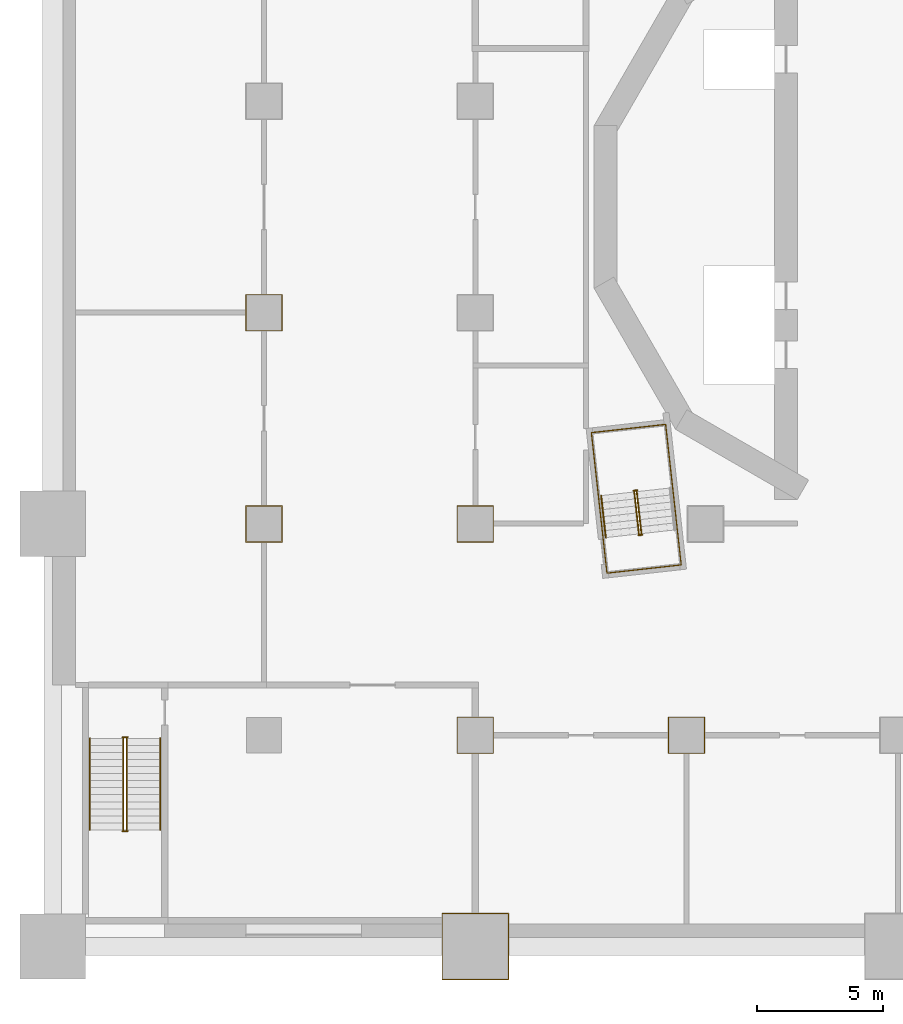
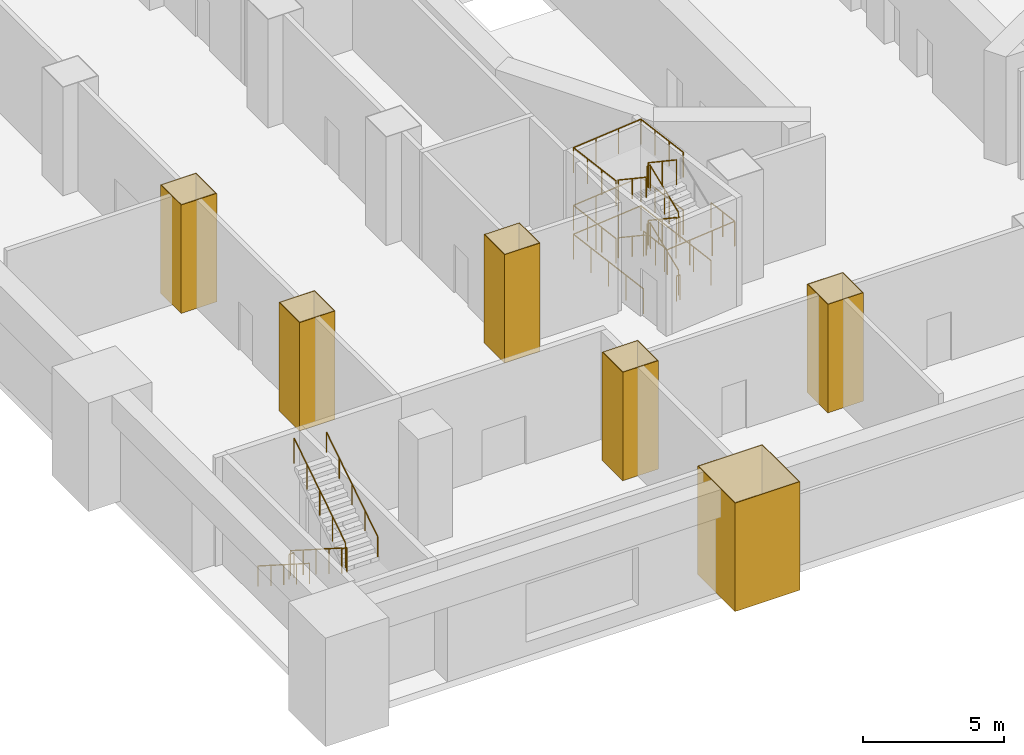
# One storey, part 9 of 17: 17 railings, 6 coverings.
"""IFC4 building model written with IfcOpenShell, lengths in metres."""

from ifc_helpers import new_model, si_unit, direction, frame, origin, origin_2d, place, context, subcontext, project, spatial, polyline, circle, outline, extrude, material, layer, layer_set, type_object, element, save


model = new_model("IFC4")

# Units and contexts
model_context = context("Model", 3, precision=1e-05, world=origin(), true_north=direction((0.0, 1.0)))
body_context = subcontext(model_context, "Body", "Model", "MODEL_VIEW")
ifc_project = project(units=[si_unit("LENGTHUNIT", "METRE"), si_unit("AREAUNIT", "SQUARE_METRE"), si_unit("VOLUMEUNIT", "CUBIC_METRE"), si_unit("PLANEANGLEUNIT", "RADIAN"), si_unit("MASSUNIT", "GRAM", prefix="KILO")], contexts=[model_context])

# Site, building, storey
site_placement = place(None, origin())
site = spatial("IfcSite", under=ifc_project, at=site_placement, CompositionType="ELEMENT")
building_placement = place(site_placement, origin())
building = spatial("IfcBuilding", under=site, at=building_placement, Name="Cantera Rosa Tower", CompositionType="ELEMENT")
storey_placement = place(building_placement, frame((0.0, 0.0, 22.0)))
storey = spatial("IfcBuildingStorey", under=building, at=storey_placement, Name="L03", CompositionType="ELEMENT", Elevation=22.0)

# Coverings
ifc_material_1 = material(Name="Plaster")
ifc_layer = layer(ifc_material_1, 0.030029296875)
ifc_layer_set = layer_set([ifc_layer], Name="Column casing 30")
covering_type = type_object("IfcCoveringType", Name="Column casing 30", PredefinedType="CLADDING", material=ifc_layer_set)
covering_1_placement = place(storey_placement, origin())
element("IfcCovering", 1, at=covering_1_placement, inside=storey, type_object=covering_type, Name="Column casing L03-001", PredefinedType="CLADDING", context=body_context, shape_type="SweptSolid", body=[
    extrude(outline(polyline([(-25.929931640625, -13.330078125), (-24.469970703125, -13.330078125), (-24.469970703125, -11.8701171875), (-25.929931640625, -11.8701171875), (-25.929931640625, -13.330078125)]), holes=[polyline([(-24.5, -11.89990234375), (-25.89990234375, -11.89990234375), (-25.89990234375, -13.300048828125), (-24.5, -13.300048828125), (-24.5, -11.89990234375)])]), origin(), (0.0, 0.0, 1.0), 4.699951171875),
])
covering_2_placement = place(storey_placement, origin())
element("IfcCovering", 2, at=covering_2_placement, inside=storey, type_object=covering_type, Name="Column casing L03-002", PredefinedType="CLADDING", context=body_context, shape_type="SweptSolid", body=[
    extrude(outline(polyline([(-25.929931640625, -4.929931640625), (-24.469970703125, -4.929931640625), (-24.469970703125, -3.469970703125), (-25.929931640625, -3.469970703125), (-25.929931640625, -4.929931640625)]), holes=[polyline([(-24.5, -3.5), (-25.89990234375, -3.5), (-25.89990234375, -4.89990234375), (-24.5, -4.89990234375), (-24.5, -3.5)])]), origin(), (0.0, 0.0, 1.0), 4.699951171875),
])
covering_3_placement = place(storey_placement, origin())
element("IfcCovering", 3, at=covering_3_placement, inside=storey, type_object=covering_type, Name="Column casing L03-005", PredefinedType="CLADDING", context=body_context, shape_type="SweptSolid", body=[
    extrude(outline(polyline([(-18.1298828125, -30.72998046875), (-15.469970703125, -30.72998046875), (-15.469970703125, -28.070068359375), (-18.1298828125, -28.070068359375), (-18.1298828125, -30.72998046875)]), holes=[polyline([(-15.5, -28.10009765625), (-18.10009765625, -28.10009765625), (-18.10009765625, -30.699951171875), (-15.5, -30.699951171875), (-15.5, -28.10009765625)])]), origin(), (0.0, 0.0, 1.0), 4.699951171875),
])
covering_4_placement = place(storey_placement, origin())
element("IfcCovering", 4, at=covering_4_placement, inside=storey, type_object=covering_type, Name="Column casing L03-006", PredefinedType="CLADDING", context=body_context, shape_type="SweptSolid", body=[
    extrude(outline(polyline([(-17.530029296875, -21.72998046875), (-16.070068359375, -21.72998046875), (-16.070068359375, -20.27001953125), (-17.530029296875, -20.27001953125), (-17.530029296875, -21.72998046875)]), holes=[polyline([(-16.10009765625, -20.300048828125), (-17.5, -20.300048828125), (-17.5, -21.699951171875), (-16.10009765625, -21.699951171875), (-16.10009765625, -20.300048828125)])]), origin(), (0.0, 0.0, 1.0), 4.699951171875),
])
covering_5_placement = place(storey_placement, origin())
element("IfcCovering", 5, at=covering_5_placement, inside=storey, type_object=covering_type, Name="Column casing L03-007", PredefinedType="CLADDING", context=body_context, shape_type="SweptSolid", body=[
    extrude(outline(polyline([(-17.530029296875, -13.330078125), (-16.070068359375, -13.330078125), (-16.070068359375, -11.8701171875), (-17.530029296875, -11.8701171875), (-17.530029296875, -13.330078125)]), holes=[polyline([(-16.10009765625, -11.89990234375), (-17.5, -11.89990234375), (-17.5, -13.300048828125), (-16.10009765625, -13.300048828125), (-16.10009765625, -11.89990234375)])]), origin(), (0.0, 0.0, 1.0), 4.699951171875),
])
covering_6_placement = place(storey_placement, origin())
element("IfcCovering", 6, at=covering_6_placement, inside=storey, type_object=covering_type, Name="Column casing L03-013", PredefinedType="CLADDING", context=body_context, shape_type="SweptSolid", body=[
    extrude(outline(polyline([(-9.1298828125, -21.72998046875), (-7.669921875, -21.72998046875), (-7.669921875, -20.27001953125), (-9.1298828125, -20.27001953125), (-9.1298828125, -21.72998046875)]), holes=[polyline([(-7.699951171875, -20.300048828125), (-9.10009765625, -20.300048828125), (-9.10009765625, -21.699951171875), (-7.699951171875, -21.699951171875), (-7.699951171875, -20.300048828125)])]), origin(), (0.0, 0.0, 1.0), 4.699951171875),
])

# Railings
ifc_material_2 = material(Name="Steel S355J2 (EN 10025-2)", Category="steel")
railing_type_1 = type_object("IfcRailingType", Name="STAIR GUARD 1100", PredefinedType="GUARDRAIL", material=ifc_material_2)
railing_1_placement = place(storey_placement, frame((-10.19677734375, -12.986083984375, 0.178466796875)))
element("IfcRailing", 7, at=railing_1_placement, inside=storey, type_object=railing_type_1, Name="L03 ST-13 stair guard 1", PredefinedType="GUARDRAIL", context=body_context, shape_type="SweptSolid", body=[
    extrude(circle(Radius=0.02392578125, at=origin_2d()), frame((0.0, 0.0, 1.076171875), z_axis=(-0.092996744609, 0.837950904326, 0.537763784046), x_axis=(-0.993897904819, -0.110303920128, 0.0)), (0.0, 0.0, 1.0), 1.99267578125),
    extrude(circle(Radius=0.02392578125, at=origin_2d()), frame((-0.185302734375, 1.669677734375, 2.1474609375), z_axis=(0.358689472963, 0.933456941688, 0.0), x_axis=(-0.933456941688, 0.358689472963, 0.0)), (0.0, 0.0, 1.0), 0.056396484375),
    extrude(circle(Radius=0.02392578125, at=origin_2d()), frame((-0.1650390625, 1.722412109375, 2.1474609375), z_axis=(-0.993863881828, -0.110610055588, 0.0), x_axis=(0.110610055588, -0.993863881828, 0.0)), (0.0, 0.0, 1.0), 0.150146484375),
    extrude(circle(Radius=0.02099609375, at=origin_2d()), origin(), (0.0, 0.0, 1.0), 1.052001953125),
    extrude(circle(Radius=0.02099609375, at=origin_2d()), frame((-0.0927734375, 0.8349609375, 0.53564453125)), (0.0, 0.0, 1.0), 1.052001953125),
    extrude(circle(Radius=0.02099609375, at=origin_2d()), frame((-0.185302734375, 1.669677734375, 1.071533203125)), (0.0, 0.0, 1.0), 1.052001953125),
    extrude(circle(Radius=0.02099609375, at=origin_2d()), frame((-0.1650390625, 1.722412109375, 1.071533203125)), (0.0, 0.0, 1.0), 1.052001953125),
    extrude(circle(Radius=0.02099609375, at=origin_2d()), frame((-0.314208984375, 1.705810546875, 1.071533203125)), (0.0, 0.0, 1.0), 1.052001953125),
])
railing_2_placement = place(storey_placement, frame((-10.4794921875, -11.3271484375, 1.428466796875)))
element("IfcRailing", 8, at=railing_2_placement, inside=storey, type_object=railing_type_1, Name="L03 ST-13 stair guard 2", PredefinedType="GUARDRAIL", context=body_context, shape_type="SweptSolid", body=[
    extrude(circle(Radius=0.02392578125, at=origin_2d()), frame((0.0, 0.0, 1.076171875), z_axis=(0.092996744609, -0.837950904326, 0.537763784046), x_axis=(0.993897904819, 0.110303920128, 0.0)), (0.0, 0.0, 1.0), 1.99267578125),
    extrude(circle(Radius=0.02392578125, at=origin_2d()), frame((0.185302734375, -1.669677734375, 2.1474609375), z_axis=(-0.363909256389, -0.931434406233, 0.0), x_axis=(0.931434406233, -0.363909256389, 0.0)), (0.0, 0.0, 1.0), 0.056396484375),
    extrude(circle(Radius=0.02392578125, at=origin_2d()), frame((0.164794921875, -1.72216796875, 2.1474609375), z_axis=(0.994041430915, 0.1090029065, 0.0), x_axis=(-0.1090029065, 0.994041430915, 0.0)), (0.0, 0.0, 1.0), 0.150146484375),
    extrude(circle(Radius=0.02099609375, at=origin_2d()), origin(), (0.0, 0.0, 1.0), 1.052001953125),
    extrude(circle(Radius=0.02099609375, at=origin_2d()), frame((0.0927734375, -0.8349609375, 0.53564453125)), (0.0, 0.0, 1.0), 1.052001953125),
    extrude(circle(Radius=0.02099609375, at=origin_2d()), frame((0.185302734375, -1.669677734375, 1.071533203125)), (0.0, 0.0, 1.0), 1.052001953125),
    extrude(circle(Radius=0.02099609375, at=origin_2d()), frame((0.164794921875, -1.72216796875, 1.071533203125)), (0.0, 0.0, 1.0), 1.052001953125),
    extrude(circle(Radius=0.02099609375, at=origin_2d()), frame((0.31396484375, -1.705810546875, 1.071533203125)), (0.0, 0.0, 1.0), 1.052001953125),
])
railing_3_placement = place(storey_placement, frame((-10.19677734375, -12.986083984375, 2.678466796875)))
element("IfcRailing", 9, at=railing_3_placement, inside=storey, type_object=railing_type_1, Name="L03 ST-13 stair guard 3", PredefinedType="GUARDRAIL", context=body_context, shape_type="SweptSolid", body=[
    extrude(circle(Radius=0.02392578125, at=origin_2d()), frame((0.0, 0.0, 1.076171875), z_axis=(-0.092996744609, 0.837950904326, 0.537763784046), x_axis=(-0.993897904819, -0.110303920128, 0.0)), (0.0, 0.0, 1.0), 1.99267578125),
    extrude(circle(Radius=0.02392578125, at=origin_2d()), frame((-0.185302734375, 1.669677734375, 2.1474609375), z_axis=(0.358689472963, 0.933456941688, 0.0), x_axis=(-0.933456941688, 0.358689472963, 0.0)), (0.0, 0.0, 1.0), 0.056396484375),
    extrude(circle(Radius=0.02392578125, at=origin_2d()), frame((-0.1650390625, 1.722412109375, 2.1474609375), z_axis=(-0.993863881828, -0.110610055588, 0.0), x_axis=(0.110610055588, -0.993863881828, 0.0)), (0.0, 0.0, 1.0), 0.150146484375),
    extrude(circle(Radius=0.02099609375, at=origin_2d()), origin(), (0.0, 0.0, 1.0), 1.052001953125),
    extrude(circle(Radius=0.02099609375, at=origin_2d()), frame((-0.0927734375, 0.8349609375, 0.53564453125)), (0.0, 0.0, 1.0), 1.052001953125),
    extrude(circle(Radius=0.02099609375, at=origin_2d()), frame((-0.185302734375, 1.669677734375, 1.071533203125)), (0.0, 0.0, 1.0), 1.052001953125),
    extrude(circle(Radius=0.02099609375, at=origin_2d()), frame((-0.1650390625, 1.722412109375, 1.071533203125)), (0.0, 0.0, 1.0), 1.052001953125),
    extrude(circle(Radius=0.02099609375, at=origin_2d()), frame((-0.314208984375, 1.705810546875, 1.071533203125)), (0.0, 0.0, 1.0), 1.052001953125),
])
railing_4_placement = place(storey_placement, frame((-10.4794921875, -11.3271484375, 3.928466796875)))
element("IfcRailing", 10, at=railing_4_placement, inside=storey, type_object=railing_type_1, Name="L03 ST-13 stair guard 4", PredefinedType="GUARDRAIL", context=body_context, shape_type="SweptSolid", body=[
    extrude(circle(Radius=0.02392578125, at=origin_2d()), frame((0.0, 0.0, 1.076171875), z_axis=(0.092996744609, -0.837950904326, 0.537763784046), x_axis=(0.993897904819, 0.110303920128, 0.0)), (0.0, 0.0, 1.0), 1.99267578125),
    extrude(circle(Radius=0.02099609375, at=origin_2d()), origin(), (0.0, 0.0, 1.0), 1.052001953125),
    extrude(circle(Radius=0.02099609375, at=origin_2d()), frame((0.0927734375, -0.8349609375, 0.53564453125)), (0.0, 0.0, 1.0), 1.052001953125),
    extrude(circle(Radius=0.02099609375, at=origin_2d()), frame((0.185302734375, -1.669677734375, 1.071533203125)), (0.0, 0.0, 1.0), 1.052001953125),
])
railing_5_placement = place(storey_placement, frame((-10.16552734375, -13.032958984375, 0.0)))
element("IfcRailing", 11, at=railing_5_placement, inside=storey, type_object=railing_type_1, Name="L03 ST-13 stair guard 5", PredefinedType="GUARDRAIL", context=body_context, shape_type="SweptSolid", body=[
    extrude(circle(Radius=0.02392578125, at=origin_2d()), frame((0.0, 0.0, 1.076171875), z_axis=(-0.994041430915, -0.1090029065, 0.0), x_axis=(0.1090029065, -0.994041430915, 0.0)), (0.0, 0.0, 1.0), 0.150146484375),
    extrude(circle(Radius=0.02099609375, at=origin_2d()), origin(), (0.0, 0.0, 1.0), 1.052001953125),
    extrude(circle(Radius=0.02099609375, at=origin_2d()), frame((-0.149169921875, -0.016357421875, 0.0)), (0.0, 0.0, 1.0), 1.052001953125),
])
railing_6_placement = place(storey_placement, frame((-8.77099609375, -12.815673828125, 0.0)))
element("IfcRailing", 12, at=railing_6_placement, inside=storey, type_object=railing_type_1, Name="L03 ST-13 stair guard 6", PredefinedType="GUARDRAIL", context=body_context, shape_type="SweptSolid", body=[
    extrude(circle(Radius=0.02392578125, at=origin_2d()), frame((0.0, 0.0, 1.076171875), z_axis=(-0.110323013767, 0.9938957856, 0.0), x_axis=(-0.9938957856, -0.110323013767, 0.0)), (0.0, 0.0, 1.0), 4.197998046875),
    extrude(circle(Radius=0.02392578125, at=origin_2d()), frame((-0.463134765625, 4.17236328125, 1.076171875), z_axis=(-0.993896759678, -0.110314237986, 0.0), x_axis=(0.110314237986, -0.993896759678, 0.0)), (0.0, 0.0, 1.0), 2.969970703125),
    extrude(circle(Radius=0.02392578125, at=origin_2d()), frame((-3.4150390625, 3.8447265625, 1.076171875), z_axis=(0.110323013767, -0.9938957856, 0.0), x_axis=(0.9938957856, 0.110323013767, 0.0)), (0.0, 0.0, 1.0), 4.197998046875),
    extrude(circle(Radius=0.02099609375, at=origin_2d()), origin(), (0.0, 0.0, 1.0), 1.052001953125),
    extrude(circle(Radius=0.02099609375, at=origin_2d()), frame((-0.11572265625, 1.04296875, 0.0)), (0.0, 0.0, 1.0), 1.052001953125),
    extrude(circle(Radius=0.02099609375, at=origin_2d()), frame((-0.2314453125, 2.086181640625, 0.0)), (0.0, 0.0, 1.0), 1.052001953125),
    extrude(circle(Radius=0.02099609375, at=origin_2d()), frame((-0.347412109375, 3.12939453125, 0.0)), (0.0, 0.0, 1.0), 1.052001953125),
    extrude(circle(Radius=0.02099609375, at=origin_2d()), frame((-0.463134765625, 4.17236328125, 0.0)), (0.0, 0.0, 1.0), 1.052001953125),
    extrude(circle(Radius=0.02099609375, at=origin_2d()), frame((-1.447021484375, 4.063232421875, 0.0)), (0.0, 0.0, 1.0), 1.052001953125),
    extrude(circle(Radius=0.02099609375, at=origin_2d()), frame((-2.43115234375, 3.953857421875, 0.0)), (0.0, 0.0, 1.0), 1.052001953125),
    extrude(circle(Radius=0.02099609375, at=origin_2d()), frame((-3.4150390625, 3.8447265625, 0.0)), (0.0, 0.0, 1.0), 1.052001953125),
    extrude(circle(Radius=0.02099609375, at=origin_2d()), frame((-3.29931640625, 2.8017578125, 0.0)), (0.0, 0.0, 1.0), 1.052001953125),
    extrude(circle(Radius=0.02099609375, at=origin_2d()), frame((-3.18359375, 1.758544921875, 0.0)), (0.0, 0.0, 1.0), 1.052001953125),
    extrude(circle(Radius=0.02099609375, at=origin_2d()), frame((-3.067626953125, 0.71533203125, 0.0)), (0.0, 0.0, 1.0), 1.052001953125),
    extrude(circle(Radius=0.02099609375, at=origin_2d()), frame((-2.951904296875, -0.32763671875, 0.0)), (0.0, 0.0, 1.0), 1.052001953125),
])
railing_7_placement = place(storey_placement, frame((-8.95361328125, -11.169921875, 1.25)))
element("IfcRailing", 13, at=railing_7_placement, inside=storey, type_object=railing_type_1, Name="L03 ST-13 stair guard 7", PredefinedType="GUARDRAIL", context=body_context, shape_type="SweptSolid", body=[
    extrude(circle(Radius=0.02392578125, at=origin_2d()), frame((0.0, 0.0, 1.076171875), z_axis=(-0.110347199982, 0.993893100618, 0.0), x_axis=(-0.993893100618, -0.110347199982, 0.0)), (0.0, 0.0, 1.0), 2.542236328125),
    extrude(circle(Radius=0.02392578125, at=origin_2d()), frame((-0.280517578125, 2.526611328125, 1.076171875), z_axis=(-0.993896759678, -0.110314237986, 0.0), x_axis=(0.110314237986, -0.993896759678, 0.0)), (0.0, 0.0, 1.0), 2.969970703125),
    extrude(circle(Radius=0.02392578125, at=origin_2d()), frame((-3.232421875, 2.198974609375, 1.076171875), z_axis=(0.110347199982, -0.993893100618, 0.0), x_axis=(0.993893100618, 0.110347199982, 0.0)), (0.0, 0.0, 1.0), 2.542236328125),
    extrude(circle(Radius=0.02099609375, at=origin_2d()), origin(), (0.0, 0.0, 1.0), 1.052001953125),
    extrude(circle(Radius=0.02099609375, at=origin_2d()), frame((-0.093505859375, 0.84228515625, 0.0)), (0.0, 0.0, 1.0), 1.052001953125),
    extrude(circle(Radius=0.02099609375, at=origin_2d()), frame((-0.18701171875, 1.684326171875, 0.0)), (0.0, 0.0, 1.0), 1.052001953125),
    extrude(circle(Radius=0.02099609375, at=origin_2d()), frame((-0.280517578125, 2.526611328125, 0.0)), (0.0, 0.0, 1.0), 1.052001953125),
    extrude(circle(Radius=0.02099609375, at=origin_2d()), frame((-1.264404296875, 2.41748046875, 0.0)), (0.0, 0.0, 1.0), 1.052001953125),
    extrude(circle(Radius=0.02099609375, at=origin_2d()), frame((-2.24853515625, 2.30810546875, 0.0)), (0.0, 0.0, 1.0), 1.052001953125),
    extrude(circle(Radius=0.02099609375, at=origin_2d()), frame((-3.232421875, 2.198974609375, 0.0)), (0.0, 0.0, 1.0), 1.052001953125),
    extrude(circle(Radius=0.02099609375, at=origin_2d()), frame((-3.138916015625, 1.356689453125, 0.0)), (0.0, 0.0, 1.0), 1.052001953125),
    extrude(circle(Radius=0.02099609375, at=origin_2d()), frame((-3.04541015625, 0.5146484375, 0.0)), (0.0, 0.0, 1.0), 1.052001953125),
    extrude(circle(Radius=0.02099609375, at=origin_2d()), frame((-2.951904296875, -0.32763671875, 0.0)), (0.0, 0.0, 1.0), 1.052001953125),
])
railing_8_placement = place(storey_placement, frame((-8.77099609375, -12.815673828125, 2.5)))
element("IfcRailing", 14, at=railing_8_placement, inside=storey, type_object=railing_type_1, Name="L03 ST-13 stair guard 8", PredefinedType="GUARDRAIL", context=body_context, shape_type="SweptSolid", body=[
    extrude(circle(Radius=0.02392578125, at=origin_2d()), frame((0.0, 0.0, 1.076171875), z_axis=(0.110393838913, -0.993887921413, 0.0), x_axis=(0.993887921413, 0.110393838913, 0.0)), (0.0, 0.0, 1.0), 1.422119140625),
    extrude(circle(Radius=0.02392578125, at=origin_2d()), frame((0.156982421875, -1.413330078125, 1.076171875), z_axis=(-0.993896759678, -0.110314237986, 0.0), x_axis=(0.110314237986, -0.993896759678, 0.0)), (0.0, 0.0, 1.0), 2.969970703125),
    extrude(circle(Radius=0.02392578125, at=origin_2d()), frame((-2.794921875, -1.740966796875, 1.076171875), z_axis=(-0.110393838913, 0.993887921413, 0.0), x_axis=(-0.993887921413, -0.110393838913, 0.0)), (0.0, 0.0, 1.0), 1.422119140625),
    extrude(circle(Radius=0.02099609375, at=origin_2d()), origin(), (0.0, 0.0, 1.0), 1.052001953125),
    extrude(circle(Radius=0.02099609375, at=origin_2d()), frame((0.07861328125, -0.70654296875, 0.0)), (0.0, 0.0, 1.0), 1.052001953125),
    extrude(circle(Radius=0.02099609375, at=origin_2d()), frame((0.156982421875, -1.413330078125, 0.0)), (0.0, 0.0, 1.0), 1.052001953125),
    extrude(circle(Radius=0.02099609375, at=origin_2d()), frame((-0.826904296875, -1.5224609375, 0.0)), (0.0, 0.0, 1.0), 1.052001953125),
    extrude(circle(Radius=0.02099609375, at=origin_2d()), frame((-1.81103515625, -1.6318359375, 0.0)), (0.0, 0.0, 1.0), 1.052001953125),
    extrude(circle(Radius=0.02099609375, at=origin_2d()), frame((-2.794921875, -1.740966796875, 0.0)), (0.0, 0.0, 1.0), 1.052001953125),
    extrude(circle(Radius=0.02099609375, at=origin_2d()), frame((-2.87353515625, -1.0341796875, 0.0)), (0.0, 0.0, 1.0), 1.052001953125),
    extrude(circle(Radius=0.02099609375, at=origin_2d()), frame((-2.951904296875, -0.32763671875, 0.0)), (0.0, 0.0, 1.0), 1.052001953125),
])
railing_9_placement = place(storey_placement, frame((-8.95361328125, -11.169921875, 3.75)))
element("IfcRailing", 15, at=railing_9_placement, inside=storey, type_object=railing_type_1, Name="L03 ST-13 stair guard 9", PredefinedType="GUARDRAIL", context=body_context, shape_type="SweptSolid", body=[
    extrude(circle(Radius=0.02392578125, at=origin_2d()), frame((0.0, 0.0, 1.076171875), z_axis=(-0.110347199982, 0.993893100618, 0.0), x_axis=(-0.993893100618, -0.110347199982, 0.0)), (0.0, 0.0, 1.0), 2.542236328125),
    extrude(circle(Radius=0.02392578125, at=origin_2d()), frame((-0.280517578125, 2.526611328125, 1.076171875), z_axis=(-0.993896759678, -0.110314237986, 0.0), x_axis=(0.110314237986, -0.993896759678, 0.0)), (0.0, 0.0, 1.0), 2.969970703125),
    extrude(circle(Radius=0.02392578125, at=origin_2d()), frame((-3.232421875, 2.198974609375, 1.076171875), z_axis=(0.110347199982, -0.993893100618, 0.0), x_axis=(0.993893100618, 0.110347199982, 0.0)), (0.0, 0.0, 1.0), 2.542236328125),
    extrude(circle(Radius=0.02099609375, at=origin_2d()), origin(), (0.0, 0.0, 1.0), 1.052001953125),
    extrude(circle(Radius=0.02099609375, at=origin_2d()), frame((-0.093505859375, 0.84228515625, 0.0)), (0.0, 0.0, 1.0), 1.052001953125),
    extrude(circle(Radius=0.02099609375, at=origin_2d()), frame((-0.18701171875, 1.684326171875, 0.0)), (0.0, 0.0, 1.0), 1.052001953125),
    extrude(circle(Radius=0.02099609375, at=origin_2d()), frame((-0.280517578125, 2.526611328125, 0.0)), (0.0, 0.0, 1.0), 1.052001953125),
    extrude(circle(Radius=0.02099609375, at=origin_2d()), frame((-1.264404296875, 2.41748046875, 0.0)), (0.0, 0.0, 1.0), 1.052001953125),
    extrude(circle(Radius=0.02099609375, at=origin_2d()), frame((-2.24853515625, 2.30810546875, 0.0)), (0.0, 0.0, 1.0), 1.052001953125),
    extrude(circle(Radius=0.02099609375, at=origin_2d()), frame((-3.232421875, 2.198974609375, 0.0)), (0.0, 0.0, 1.0), 1.052001953125),
    extrude(circle(Radius=0.02099609375, at=origin_2d()), frame((-3.138916015625, 1.356689453125, 0.0)), (0.0, 0.0, 1.0), 1.052001953125),
    extrude(circle(Radius=0.02099609375, at=origin_2d()), frame((-3.04541015625, 0.5146484375, 0.0)), (0.0, 0.0, 1.0), 1.052001953125),
    extrude(circle(Radius=0.02099609375, at=origin_2d()), frame((-2.951904296875, -0.32763671875, 0.0)), (0.0, 0.0, 1.0), 1.052001953125),
])
railing_10_placement = place(storey_placement, frame((-30.799072265625, -21.125, 0.178466796875)))
element("IfcRailing", 16, at=railing_10_placement, inside=storey, type_object=railing_type_1, Name="L03 ST-SW stair guard 1", PredefinedType="GUARDRAIL", context=body_context, shape_type="SweptSolid", body=[
    extrude(circle(Radius=0.02392578125, at=origin_2d()), frame((0.0, 0.0, 1.076171875), z_axis=(0.0, -0.843111507901, 0.53773877045), x_axis=(1.0, 0.0, 0.0)), (0.0, 0.0, 1.0), 4.317138671875),
    extrude(circle(Radius=0.02099609375, at=origin_2d()), origin(), (0.0, 0.0, 1.0), 1.052001953125),
    extrude(circle(Radius=0.02099609375, at=origin_2d()), frame((0.0, -0.909912109375, 0.580322265625)), (0.0, 0.0, 1.0), 1.052001953125),
    extrude(circle(Radius=0.02099609375, at=origin_2d()), frame((0.0, -1.81982421875, 1.16064453125)), (0.0, 0.0, 1.0), 1.052001953125),
    extrude(circle(Radius=0.02099609375, at=origin_2d()), frame((0.0, -2.72998046875, 1.7412109375)), (0.0, 0.0, 1.0), 1.052001953125),
    extrude(circle(Radius=0.02099609375, at=origin_2d()), frame((0.0, -3.639892578125, 2.321533203125)), (0.0, 0.0, 1.0), 1.052001953125),
])
railing_11_placement = place(storey_placement, frame((-30.824951171875, -24.81494140625, 2.5)))
element("IfcRailing", 17, at=railing_11_placement, inside=storey, type_object=railing_type_1, Name="L03 ST-SW stair guard 2", PredefinedType="GUARDRAIL", context=body_context, shape_type="SweptSolid", body=[
    extrude(circle(Radius=0.02392578125, at=origin_2d()), frame((0.0, 0.0, 1.076171875), z_axis=(1.0, 0.0, 0.0), x_axis=(0.0, 1.0, 0.0)), (0.0, 0.0, 1.0), 0.199951171875),
    extrude(circle(Radius=0.02099609375, at=origin_2d()), origin(), (0.0, 0.0, 1.0), 1.052001953125),
    extrude(circle(Radius=0.02099609375, at=origin_2d()), frame((0.199951171875, 0.0, 0.0)), (0.0, 0.0, 1.0), 1.052001953125),
])
railing_12_placement = place(storey_placement, frame((-30.65087890625, -24.764892578125, 2.678466796875)))
element("IfcRailing", 18, at=railing_12_placement, inside=storey, type_object=railing_type_1, Name="L03 ST-SW stair guard 3", PredefinedType="GUARDRAIL", context=body_context, shape_type="SweptSolid", body=[
    extrude(circle(Radius=0.02392578125, at=origin_2d()), frame((0.0, 0.0, 1.076171875), z_axis=(0.0, 0.843111507901, 0.53773877045), x_axis=(-1.0, 0.0, 0.0)), (0.0, 0.0, 1.0), 4.317138671875),
    extrude(circle(Radius=0.02099609375, at=origin_2d()), origin(), (0.0, 0.0, 1.0), 1.052001953125),
    extrude(circle(Radius=0.02099609375, at=origin_2d()), frame((0.0, 0.909912109375, 0.580322265625)), (0.0, 0.0, 1.0), 1.052001953125),
    extrude(circle(Radius=0.02099609375, at=origin_2d()), frame((0.0, 1.81982421875, 1.16064453125)), (0.0, 0.0, 1.0), 1.052001953125),
    extrude(circle(Radius=0.02099609375, at=origin_2d()), frame((0.0, 2.72998046875, 1.7412109375)), (0.0, 0.0, 1.0), 1.052001953125),
    extrude(circle(Radius=0.02099609375, at=origin_2d()), frame((0.0, 3.639892578125, 2.321533203125)), (0.0, 0.0, 1.0), 1.052001953125),
])
railing_13_placement = place(storey_placement, frame((-30.824951171875, -21.074951171875, 0.0)))
element("IfcRailing", 19, at=railing_13_placement, inside=storey, type_object=railing_type_1, Name="L03 ST-SW stair guard 4", PredefinedType="GUARDRAIL", context=body_context, shape_type="SweptSolid", body=[
    extrude(circle(Radius=0.02392578125, at=origin_2d()), frame((0.0, 0.0, 1.076171875), z_axis=(1.0, 0.0, 0.0), x_axis=(0.0, 1.0, 0.0)), (0.0, 0.0, 1.0), 0.199951171875),
    extrude(circle(Radius=0.02099609375, at=origin_2d()), origin(), (0.0, 0.0, 1.0), 1.052001953125),
    extrude(circle(Radius=0.02099609375, at=origin_2d()), frame((0.199951171875, 0.0, 0.0)), (0.0, 0.0, 1.0), 1.052001953125),
])
ifc_material_3 = material(Name="Steel S355J2 (EN 10025-2)", Category="steel")
railing_type_2 = type_object("IfcRailingType", Name="STAIR HANDRAIL 900", PredefinedType="HANDRAIL", material=ifc_material_3)
for number, where, name in (
    (20, (-11.797607421875, -11.473388671875, 1.428466796875), "L03 ST-13 stair handrail 2"),
    (21, (-11.797607421875, -11.473388671875, 3.928466796875), "L03 ST-13 stair handrail 4"),
):
    element("IfcRailing", number, at=place(storey_placement, frame(where)), inside=storey, type_object=railing_type_2, Name=name, PredefinedType="HANDRAIL", context=body_context, shape_type="SweptSolid", body=[
        extrude(circle(Radius=0.02392578125, at=origin_2d()), frame((0.0, 0.0, 0.8759765625), z_axis=(0.09311820824, -0.837941350202, 0.537757652586), x_axis=(0.993881962282, 0.110447476434, 0.0)), (0.0, 0.0, 1.0), 1.99267578125),
        extrude(circle(Radius=0.02099609375, at=origin_2d()), origin(), (0.0, 0.0, 1.0), 0.851806640625),
        extrude(circle(Radius=0.02099609375, at=origin_2d()), frame((0.0927734375, -0.8349609375, 0.53564453125)), (0.0, 0.0, 1.0), 0.851806640625),
        extrude(circle(Radius=0.02099609375, at=origin_2d()), frame((0.185546875, -1.669677734375, 1.071533203125)), (0.0, 0.0, 1.0), 0.851806640625),
    ])
railing_14_placement = place(storey_placement, frame((-32.125, -21.125, 0.178466796875)))
element("IfcRailing", 22, at=railing_14_placement, inside=storey, type_object=railing_type_2, Name="L03 ST-SW stair handrail 1", PredefinedType="HANDRAIL", context=body_context, shape_type="SweptSolid", body=[
    extrude(circle(Radius=0.02392578125, at=origin_2d()), frame((0.0, 0.0, 0.8759765625), z_axis=(0.0, -0.843111507901, 0.53773877045), x_axis=(1.0, 0.0, 0.0)), (0.0, 0.0, 1.0), 4.317138671875),
    extrude(circle(Radius=0.02099609375, at=origin_2d()), origin(), (0.0, 0.0, 1.0), 0.851806640625),
    extrude(circle(Radius=0.02099609375, at=origin_2d()), frame((0.0, -0.909912109375, 0.580322265625)), (0.0, 0.0, 1.0), 0.851806640625),
    extrude(circle(Radius=0.02099609375, at=origin_2d()), frame((0.0, -1.81982421875, 1.16064453125)), (0.0, 0.0, 1.0), 0.851806640625),
    extrude(circle(Radius=0.02099609375, at=origin_2d()), frame((0.0, -2.72998046875, 1.7412109375)), (0.0, 0.0, 1.0), 0.851806640625),
    extrude(circle(Radius=0.02099609375, at=origin_2d()), frame((0.0, -3.639892578125, 2.321533203125)), (0.0, 0.0, 1.0), 0.851806640625),
])
railing_15_placement = place(storey_placement, frame((-29.324951171875, -24.764892578125, 2.678466796875)))
element("IfcRailing", 23, at=railing_15_placement, inside=storey, type_object=railing_type_2, Name="L03 ST-SW stair handrail 2", PredefinedType="HANDRAIL", context=body_context, shape_type="SweptSolid", body=[
    extrude(circle(Radius=0.02392578125, at=origin_2d()), frame((0.0, 0.0, 0.8759765625), z_axis=(0.0, 0.843111507901, 0.53773877045), x_axis=(-1.0, 0.0, 0.0)), (0.0, 0.0, 1.0), 4.317138671875),
    extrude(circle(Radius=0.02099609375, at=origin_2d()), origin(), (0.0, 0.0, 1.0), 0.851806640625),
    extrude(circle(Radius=0.02099609375, at=origin_2d()), frame((0.0, 0.909912109375, 0.580322265625)), (0.0, 0.0, 1.0), 0.851806640625),
    extrude(circle(Radius=0.02099609375, at=origin_2d()), frame((0.0, 1.81982421875, 1.16064453125)), (0.0, 0.0, 1.0), 0.851806640625),
    extrude(circle(Radius=0.02099609375, at=origin_2d()), frame((0.0, 2.72998046875, 1.7412109375)), (0.0, 0.0, 1.0), 0.851806640625),
    extrude(circle(Radius=0.02099609375, at=origin_2d()), frame((0.0, 3.639892578125, 2.321533203125)), (0.0, 0.0, 1.0), 0.851806640625),
])

save(model, "model.ifc")
